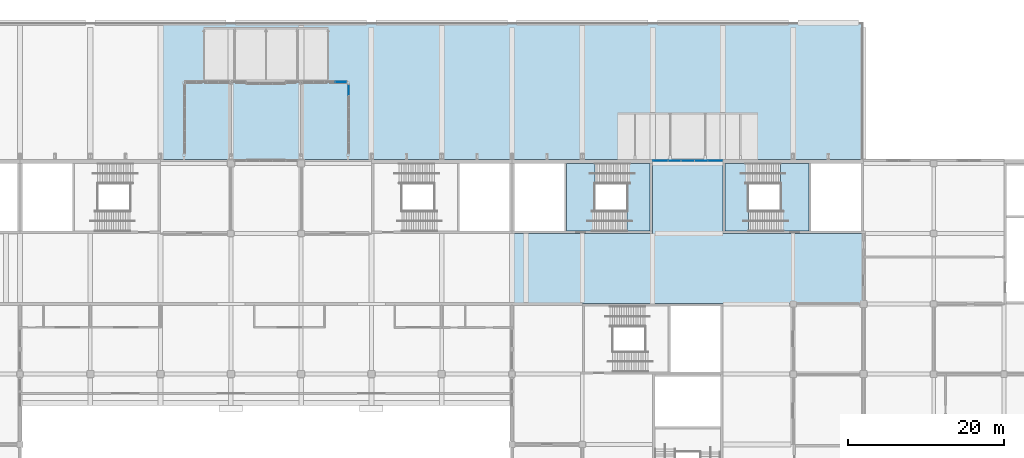
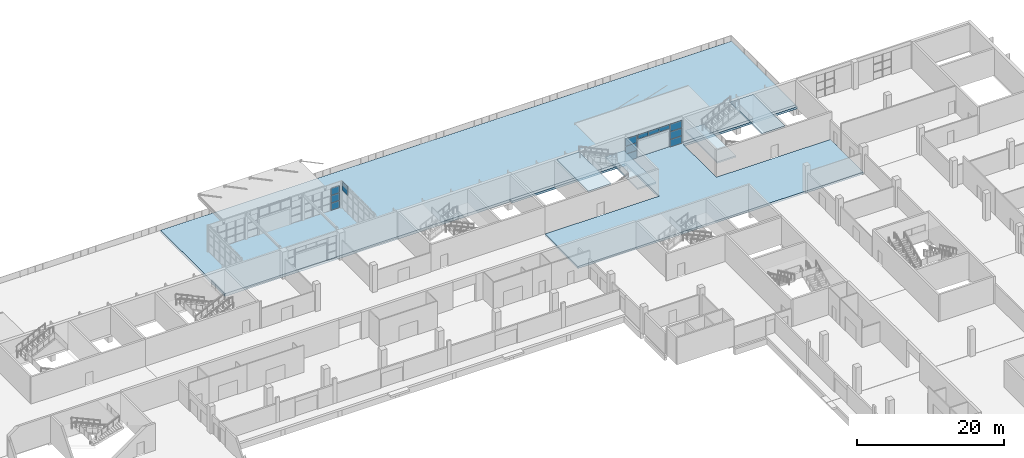
# One storey, part 89 of 168: 13 plates, 6 slabs, 7 elements without a shape of their own.
"""IFC4 building model written with IfcOpenShell, lengths in metres."""

from ifc_helpers import new_model, si_unit, direction, frame, origin, origin_2d, place, context, subcontext, project, spatial, polyline, rectangle, outline, extrude, material, layer, layer_set, type_object, element, aggregate, save


model = new_model("IFC4")

# Units and contexts
model_context = context("Model", 3, precision=1e-05, world=origin(), true_north=direction((0.0, 1.0)))
body_context = subcontext(model_context, "Body", "Model", "MODEL_VIEW")
ifc_project = project(units=[si_unit("LENGTHUNIT", "METRE"), si_unit("AREAUNIT", "SQUARE_METRE"), si_unit("VOLUMEUNIT", "CUBIC_METRE"), si_unit("PLANEANGLEUNIT", "RADIAN"), si_unit("MASSUNIT", "GRAM", prefix="KILO")], contexts=[model_context])

# Site, building, storey
site_placement = place(None, origin())
site = spatial("IfcSite", under=ifc_project, at=site_placement, CompositionType="ELEMENT")
building_placement = place(site_placement, origin())
building = spatial("IfcBuilding", under=site, at=building_placement, Name="Silverbay Arena", CompositionType="ELEMENT")
storey_placement = place(building_placement, frame((0.0, 0.0, 7.0)))
storey = spatial("IfcBuildingStorey", under=building, at=storey_placement, Name="L01", CompositionType="ELEMENT", Elevation=7.0)

# Curtain wall, plates
ifc_material_1 = material(Name="Aluminium framed curtain wall", Category="aluminium")
curtain_wall_type_1 = type_object("IfcCurtainWallType", Name="Curtain wall 1950 x 3900", PredefinedType="NOTDEFINED", material=ifc_material_1)
curtain_wall_1_placement = place(storey_placement, origin())
curtain_wall_1 = element("IfcCurtainWall", 1, at=curtain_wall_1_placement, inside=storey, type_object=curtain_wall_type_1, Name="North curtain wall L01 bay 18", PredefinedType="NOTDEFINED")
ifc_material_2 = material(Name="Laminated glass", Category="glass")
ifc_layer_1 = layer(ifc_material_2, 0.028076171875)
ifc_layer_set_1 = layer_set([ifc_layer_1], Name="Laminated glass")
plate_type = type_object("IfcPlateType", Name="Glass panel 28", PredefinedType="CURTAIN_PANEL", material=ifc_layer_set_1)
plate_1_placement = place(storey_placement, frame((180.97509765625, 144.330078125, 0.050048828125), z_axis=(0.0, 0.0, 1.0), x_axis=(-1.0, 0.0, 0.0)))
plate_1 = element("IfcPlate", 2, at=plate_1_placement, type_object=plate_type, Name="CW2 panel 1.1", PredefinedType="CURTAIN_PANEL", context=body_context, shape_type="SweptSolid", body=[
    extrude(rectangle(XDim=1.830078125, YDim=0.028076171875, at=origin_2d()), origin(), (0.0, 0.0, 1.0), 1.22509765625),
])
plate_2_placement = place(storey_placement, frame((180.97509765625, 144.330078125, 1.324951171875), z_axis=(0.0, 0.0, 1.0), x_axis=(-1.0, 0.0, 0.0)))
plate_2 = element("IfcPlate", 3, at=plate_2_placement, type_object=plate_type, Name="CW2 panel 1.2", PredefinedType="CURTAIN_PANEL", context=body_context, shape_type="SweptSolid", body=[
    extrude(rectangle(XDim=1.830078125, YDim=0.028076171875, at=origin_2d()), origin(), (0.0, 0.0, 1.0), 1.25),
])
plate_3_placement = place(storey_placement, frame((180.97509765625, 144.330078125, 2.625), z_axis=(0.0, 0.0, 1.0), x_axis=(-1.0, 0.0, 0.0)))
plate_3 = element("IfcPlate", 4, at=plate_3_placement, type_object=plate_type, Name="CW2 panel 1.3", PredefinedType="CURTAIN_PANEL", context=body_context, shape_type="SweptSolid", body=[
    extrude(rectangle(XDim=1.830078125, YDim=0.028076171875, at=origin_2d()), origin(), (0.0, 0.0, 1.0), 1.22509765625),
])
aggregate(curtain_wall_1, [plate_1, plate_2, plate_3])

curtain_wall_2_placement = place(storey_placement, origin())
curtain_wall_2 = element("IfcCurtainWall", 5, at=curtain_wall_2_placement, inside=storey, type_object=curtain_wall_type_1, Name="North curtain wall L01 bay 18", PredefinedType="NOTDEFINED")
plate_4_placement = place(storey_placement, frame((188.02490234375, 144.330078125, 0.050048828125), z_axis=(0.0, 0.0, 1.0), x_axis=(-1.0, 0.0, 0.0)))
plate_4 = element("IfcPlate", 6, at=plate_4_placement, type_object=plate_type, Name="CW2 panel 1.1", PredefinedType="CURTAIN_PANEL", context=body_context, shape_type="SweptSolid", body=[
    extrude(rectangle(XDim=1.830078125, YDim=0.028076171875, at=origin_2d()), origin(), (0.0, 0.0, 1.0), 1.22509765625),
])
plate_5_placement = place(storey_placement, frame((188.02490234375, 144.330078125, 1.324951171875), z_axis=(0.0, 0.0, 1.0), x_axis=(-1.0, 0.0, 0.0)))
plate_5 = element("IfcPlate", 7, at=plate_5_placement, type_object=plate_type, Name="CW2 panel 1.2", PredefinedType="CURTAIN_PANEL", context=body_context, shape_type="SweptSolid", body=[
    extrude(rectangle(XDim=1.830078125, YDim=0.028076171875, at=origin_2d()), origin(), (0.0, 0.0, 1.0), 1.25),
])
plate_6_placement = place(storey_placement, frame((188.02490234375, 144.330078125, 2.625), z_axis=(0.0, 0.0, 1.0), x_axis=(-1.0, 0.0, 0.0)))
plate_6 = element("IfcPlate", 8, at=plate_6_placement, type_object=plate_type, Name="CW2 panel 1.3", PredefinedType="CURTAIN_PANEL", context=body_context, shape_type="SweptSolid", body=[
    extrude(rectangle(XDim=1.830078125, YDim=0.028076171875, at=origin_2d()), origin(), (0.0, 0.0, 1.0), 1.22509765625),
])
aggregate(curtain_wall_2, [plate_4, plate_5, plate_6])

ifc_material_3 = material(Name="Aluminium framed curtain wall", Category="aluminium")
curtain_wall_type_2 = type_object("IfcCurtainWallType", Name="Curtain wall 5100 x 800", PredefinedType="NOTDEFINED", material=ifc_material_3)
curtain_wall_3_placement = place(storey_placement, origin())
curtain_wall_3 = element("IfcCurtainWall", 9, at=curtain_wall_3_placement, inside=storey, type_object=curtain_wall_type_2, Name="North curtain wall L01 bay 18", PredefinedType="NOTDEFINED")
plate_7_placement = place(storey_placement, frame((186.18505859375, 144.330078125, 3.14990234375), z_axis=(0.0, 0.0, 1.0), x_axis=(-1.0, 0.0, 0.0)))
plate_7 = element("IfcPlate", 10, at=plate_7_placement, type_object=plate_type, Name="CW3 panel 1.1", PredefinedType="CURTAIN_PANEL", context=body_context, shape_type="SweptSolid", body=[
    extrude(rectangle(XDim=1.610107421875, YDim=0.028076171875, at=origin_2d()), origin(), (0.0, 0.0, 1.0), 0.699951171875),
])
plate_8_placement = place(storey_placement, frame((184.5, 144.330078125, 3.14990234375), z_axis=(0.0, 0.0, 1.0), x_axis=(-1.0, 0.0, 0.0)))
plate_8 = element("IfcPlate", 11, at=plate_8_placement, type_object=plate_type, Name="CW3 panel 2.1", PredefinedType="CURTAIN_PANEL", context=body_context, shape_type="SweptSolid", body=[
    extrude(rectangle(XDim=1.639892578125, YDim=0.028076171875, at=origin_2d()), origin(), (0.0, 0.0, 1.0), 0.699951171875),
])
plate_9_placement = place(storey_placement, frame((182.81494140625, 144.330078125, 3.14990234375), z_axis=(0.0, 0.0, 1.0), x_axis=(-1.0, 0.0, 0.0)))
plate_9 = element("IfcPlate", 12, at=plate_9_placement, type_object=plate_type, Name="CW3 panel 3.1", PredefinedType="CURTAIN_PANEL", context=body_context, shape_type="SweptSolid", body=[
    extrude(rectangle(XDim=1.610107421875, YDim=0.028076171875, at=origin_2d()), origin(), (0.0, 0.0, 1.0), 0.699951171875),
])
aggregate(curtain_wall_3, [plate_7, plate_8, plate_9])

ifc_material_4 = material(Name="Aluminium framed curtain wall", Category="aluminium")
curtain_wall_type_3 = type_object("IfcCurtainWallType", Name="Curtain wall 5700 x 3800", PredefinedType="NOTDEFINED", material=ifc_material_4)
curtain_wall_4_placement = place(storey_placement, origin())
curtain_wall_4 = element("IfcCurtainWall", 13, at=curtain_wall_4_placement, inside=storey, type_object=curtain_wall_type_3, Name="North entrance hall N1 glazing F2", PredefinedType="NOTDEFINED")
plate_10_placement = place(storey_placement, frame((140.12255859375, 154.409912109375, 0.0498046875), z_axis=(0.0, 0.0, 1.0), x_axis=(1.0, 0.0, 0.0)))
plate_10 = element("IfcPlate", 14, at=plate_10_placement, type_object=plate_type, Name="CW42 panel 4.1", PredefinedType="CURTAIN_PANEL", context=body_context, shape_type="SweptSolid", body=[
    extrude(rectangle(XDim=1.3349609375, YDim=0.028076171875, at=origin_2d()), origin(), (0.0, 0.0, 1.0), 1.191650390625),
])
plate_11_placement = place(storey_placement, frame((140.12255859375, 154.409912109375, 1.29150390625), z_axis=(0.0, 0.0, 1.0), x_axis=(1.0, 0.0, 0.0)))
plate_11 = element("IfcPlate", 15, at=plate_11_placement, type_object=plate_type, Name="CW42 panel 4.2", PredefinedType="CURTAIN_PANEL", context=body_context, shape_type="SweptSolid", body=[
    extrude(rectangle(XDim=1.3349609375, YDim=0.028076171875, at=origin_2d()), origin(), (0.0, 0.0, 1.0), 1.216552734375),
])
plate_12_placement = place(storey_placement, frame((140.12255859375, 154.409912109375, 2.55810546875), z_axis=(0.0, 0.0, 1.0), x_axis=(1.0, 0.0, 0.0)))
plate_12 = element("IfcPlate", 16, at=plate_12_placement, type_object=plate_type, Name="CW42 panel 4.3", PredefinedType="CURTAIN_PANEL", context=body_context, shape_type="SweptSolid", body=[
    extrude(rectangle(XDim=1.3349609375, YDim=0.028076171875, at=origin_2d()), origin(), (0.0, 0.0, 1.0), 1.191650390625),
])
aggregate(curtain_wall_4, [plate_10, plate_11, plate_12])

# Curtain wall, plate
ifc_material_5 = material(Name="Aluminium framed curtain wall", Category="aluminium")
curtain_wall_type_4 = type_object("IfcCurtainWallType", Name="Curtain wall 8950 x 4500", PredefinedType="NOTDEFINED", material=ifc_material_5)
curtain_wall_5_placement = place(storey_placement, origin())
curtain_wall_5 = element("IfcCurtainWall", 17, at=curtain_wall_5_placement, inside=storey, type_object=curtain_wall_type_4, Name="North entrance hall N1 glazing SB", PredefinedType="NOTDEFINED")
plate_13_placement = place(storey_placement, frame((141.110107421875, 153.38916015625, 3.02490234375), z_axis=(0.0, 0.0, 1.0), x_axis=(0.0, -1.0, 0.0)))
plate_13 = element("IfcPlate", 18, at=plate_13_placement, type_object=plate_type, Name="CW46 panel 1.3", PredefinedType="CURTAIN_PANEL", context=body_context, shape_type="SweptSolid", body=[
    extrude(rectangle(XDim=1.401611328125, YDim=0.028076171875, at=origin_2d()), origin(), (0.0, 0.0, 1.0), 1.425048828125),
])
aggregate(curtain_wall_5, [plate_13])

# Slabs
ifc_material_6 = material(Name="Concrete Grade C45", Category="concrete")
ifc_layer_2 = layer(ifc_material_6, 0.35009765625)
ifc_layer_set_2 = layer_set([ifc_layer_2], Name="Concrete Grade C45")
slab_type_1 = type_object("IfcSlabType", Name="RC floor slab 350", PredefinedType="FLOOR", material=ifc_layer_set_2)
slab_1_placement = place(storey_placement, frame((0.0, 0.0, -0.35009765625)))
element("IfcSlab", 19, at=slab_1_placement, inside=storey, type_object=slab_type_1, Name="Floor slab L01 unit 23", PredefinedType="FLOOR", context=body_context, shape_type="SweptSolid", body=[
    extrude(outline(polyline([(162.0, 126.02490234375), (162.0, 135.0), (180.0, 135.0), (180.0, 144.0), (162.0, 144.0), (162.0, 144.5), (207.0, 144.5), (207.0, 144.0), (189.0, 144.0), (189.0, 135.0), (207.0, 135.0), (207.0, 126.02490234375), (162.0, 126.02490234375)])), origin(), (0.0, 0.0, 1.0), 0.35009765625),
])
ifc_material_7 = material(Name="Concrete Grade C45", Category="concrete")
ifc_layer_3 = layer(ifc_material_7, 0.449951171875)
ifc_layer_set_3 = layer_set([ifc_layer_3], Name="Concrete Grade C45")
slab_type_2 = type_object("IfcSlabType", Name="RC plaza deck slab 450", PredefinedType="FLOOR", material=ifc_layer_set_3)
slab_2_placement = place(storey_placement, frame((0.0, 0.0, -0.449951171875)))
element("IfcSlab", 20, at=slab_2_placement, inside=storey, type_object=slab_type_2, Name="Floor slab L01 unit 3", PredefinedType="FLOOR", context=body_context, shape_type="SweptSolid", body=[
    extrude(outline(polyline([(117.0, 162.0), (207.0, 162.0), (207.0, 144.5), (117.0, 144.5), (117.0, 162.0)])), origin(), (0.0, 0.0, 1.0), 0.449951171875),
])

# Stair, slabs
ifc_material_8 = material(Name="Concrete Grade C45", Category="concrete")
stair_type = type_object("IfcStairType", Name="Stair 2600 wide 32 risers 140.6 x 300", PredefinedType="HALF_TURN_STAIR", material=ifc_material_8)
stair_1_placement = place(storey_placement, origin())
stair_1 = element("IfcStair", 21, at=stair_1_placement, inside=storey, type_object=stair_type, Name="Stair ST-N4 L01 to L02", PredefinedType="HALF_TURN_STAIR")
ifc_material_9 = material(Name="Concrete Grade C45", Category="concrete")
ifc_layer_4 = layer(ifc_material_9, 0.25)
ifc_layer_set_4 = layer_set([ifc_layer_4], Name="Concrete Grade C45")
slab_type_3 = type_object("IfcSlabType", Name="Stair landing RC 250", PredefinedType="LANDING", material=ifc_layer_set_4)
slab_3_placement = place(storey_placement, frame((0.0, 0.0, 2.0)))
slab_3 = element("IfcSlab", 22, at=slab_3_placement, type_object=slab_type_3, Name="Stair ST-N4 L01 to L02 landing 1", PredefinedType="LANDING", context=body_context, shape_type="SweptSolid", body=[
    extrude(outline(polyline([(176.74658203125, 135.300048828125), (179.699951171875, 135.300048828125), (179.699951171875, 144.0), (176.74658203125, 144.0), (176.74658203125, 135.300048828125)])), origin(), (0.0, 0.0, 1.0), 0.25),
])
slab_4_placement = place(storey_placement, frame((0.0, 0.0, 4.25)))
slab_4 = element("IfcSlab", 23, at=slab_4_placement, type_object=slab_type_3, Name="Stair ST-N4 L01 to L02 landing 2", PredefinedType="LANDING", context=body_context, shape_type="SweptSolid", body=[
    extrude(outline(polyline([(169.0, 135.300048828125), (172.60009765625, 135.300048828125), (172.60009765625, 144.0), (169.0, 144.0), (169.0, 135.300048828125)])), origin(), (0.0, 0.0, 1.0), 0.25),
])
aggregate(stair_1, [slab_3, slab_4])

stair_2_placement = place(storey_placement, origin())
stair_2 = element("IfcStair", 24, at=stair_2_placement, inside=storey, type_object=stair_type, Name="Stair ST-N6 L01 to L02", PredefinedType="HALF_TURN_STAIR")
slab_5_placement = place(storey_placement, frame((0.0, 0.0, 2.0)))
slab_5 = element("IfcSlab", 25, at=slab_5_placement, type_object=slab_type_3, Name="Stair ST-N6 L01 to L02 landing 1", PredefinedType="LANDING", context=body_context, shape_type="SweptSolid", body=[
    extrude(outline(polyline([(192.25341796875, 135.300048828125), (189.300048828125, 135.300048828125), (189.300048828125, 144.0), (192.25341796875, 144.0), (192.25341796875, 135.300048828125)])), origin(), (0.0, 0.0, 1.0), 0.25),
])
slab_6_placement = place(storey_placement, frame((0.0, 0.0, 4.25)))
slab_6 = element("IfcSlab", 26, at=slab_6_placement, type_object=slab_type_3, Name="Stair ST-N6 L01 to L02 landing 2", PredefinedType="LANDING", context=body_context, shape_type="SweptSolid", body=[
    extrude(outline(polyline([(200.0, 135.300048828125), (196.39990234375, 135.300048828125), (196.39990234375, 144.0), (200.0, 144.0), (200.0, 135.300048828125)])), origin(), (0.0, 0.0, 1.0), 0.25),
])
aggregate(stair_2, [slab_5, slab_6])

save(model, "model.ifc")
